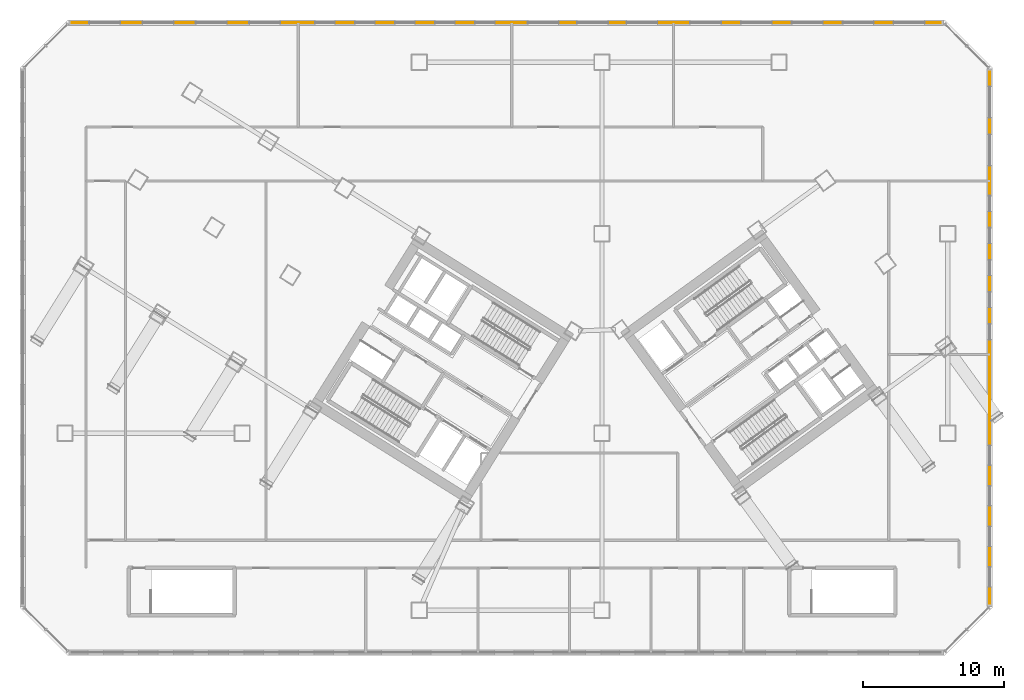
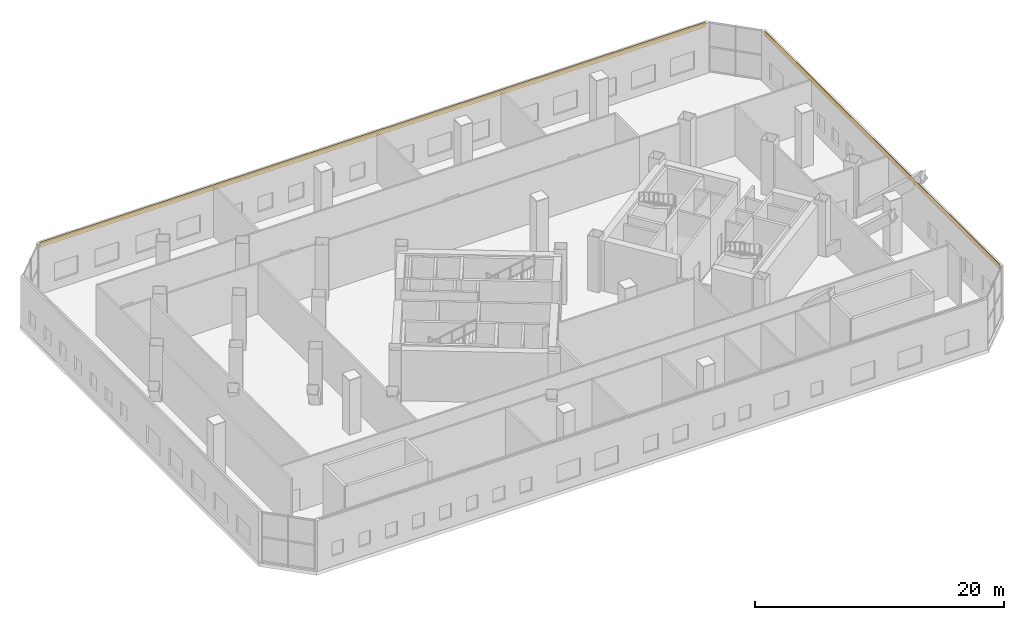
# One storey, part 23 of 23: 2 coverings.
"""IFC4 building model written with IfcOpenShell, lengths in metres."""

from ifc_helpers import new_model, si_unit, direction, frame, origin, origin_2d, place, context, subcontext, project, spatial, rectangle, extrude, source, transform, mapped, material, layer, layer_set, type_object, element, save


model = new_model("IFC4")

# Units and contexts
model_context = context("Model", 3, precision=1e-05, world=origin(), true_north=direction((0.0, 1.0)))
body_context = subcontext(model_context, "Body", "Model", "MODEL_VIEW")
ifc_project = project(units=[si_unit("LENGTHUNIT", "METRE"), si_unit("AREAUNIT", "SQUARE_METRE"), si_unit("VOLUMEUNIT", "CUBIC_METRE"), si_unit("PLANEANGLEUNIT", "RADIAN"), si_unit("MASSUNIT", "GRAM", prefix="KILO")], contexts=[model_context])

# Site, building, storey
site_placement = place(None, origin())
site = spatial("IfcSite", under=ifc_project, at=site_placement, CompositionType="ELEMENT")
building_placement = place(site_placement, origin())
building = spatial("IfcBuilding", under=site, at=building_placement, Name="Tlacorven Tower", CompositionType="ELEMENT")
storey_placement = place(building_placement, frame((0.0, 0.0, 18.60009765625)))
storey = spatial("IfcBuildingStorey", under=building, at=storey_placement, Name="L04", CompositionType="ELEMENT", Elevation=18.60009765625)

# Coverings
ifc_material = material(Name="Precast concrete C45/55", Category="concrete")
ifc_layer = layer(ifc_material, 0.06005859375)
ifc_layer_set = layer_set([ifc_layer], Name="Precast concrete C45/55")
covering_type = type_object("IfcCoveringType", Name="CV-CLD-TERC", PredefinedType="CLADDING", material=ifc_layer_set)
shared_shape_1 = source(origin(), body_context, "Body", "SweptSolid", [
    extrude(rectangle(XDim=37.834228515625, YDim=0.06005859375, at=origin_2d()), origin(), (0.0, 0.0, 1.0), 0.47998046875),
])
covering_1_placement = place(storey_placement, frame((70.39990234375, 24.0, 4.469970703125), z_axis=(0.0, 0.0, 1.0), x_axis=(0.0, -1.0, 0.0)))
element("IfcCovering", 1, at=covering_1_placement, inside=storey, type_object=covering_type, Name="L04 Expressed Terracotta Masonry Spandrel Band 6", PredefinedType="CLADDING", context=body_context, shape_type="MappedRepresentation", body=[
    mapped(shared_shape_1, transform((0.0, 0.0, 0.0), scale=1.0)),
])
shared_shape_2 = source(origin(), body_context, "Body", "SweptSolid", [
    extrude(rectangle(XDim=61.834228515625, YDim=0.06005859375, at=origin_2d()), origin(), (0.0, 0.0, 1.0), 0.47998046875),
])
covering_2_placement = place(storey_placement, frame((36.0, 46.39990234375, 4.469970703125), z_axis=(0.0, 0.0, 1.0), x_axis=(1.0, 0.0, 0.0)))
element("IfcCovering", 2, at=covering_2_placement, inside=storey, type_object=covering_type, Name="L04 Expressed Terracotta Masonry Spandrel Band 4", PredefinedType="CLADDING", context=body_context, shape_type="MappedRepresentation", body=[
    mapped(shared_shape_2, transform((0.0, 0.0, 0.0), scale=1.0)),
])

save(model, "model.ifc")
